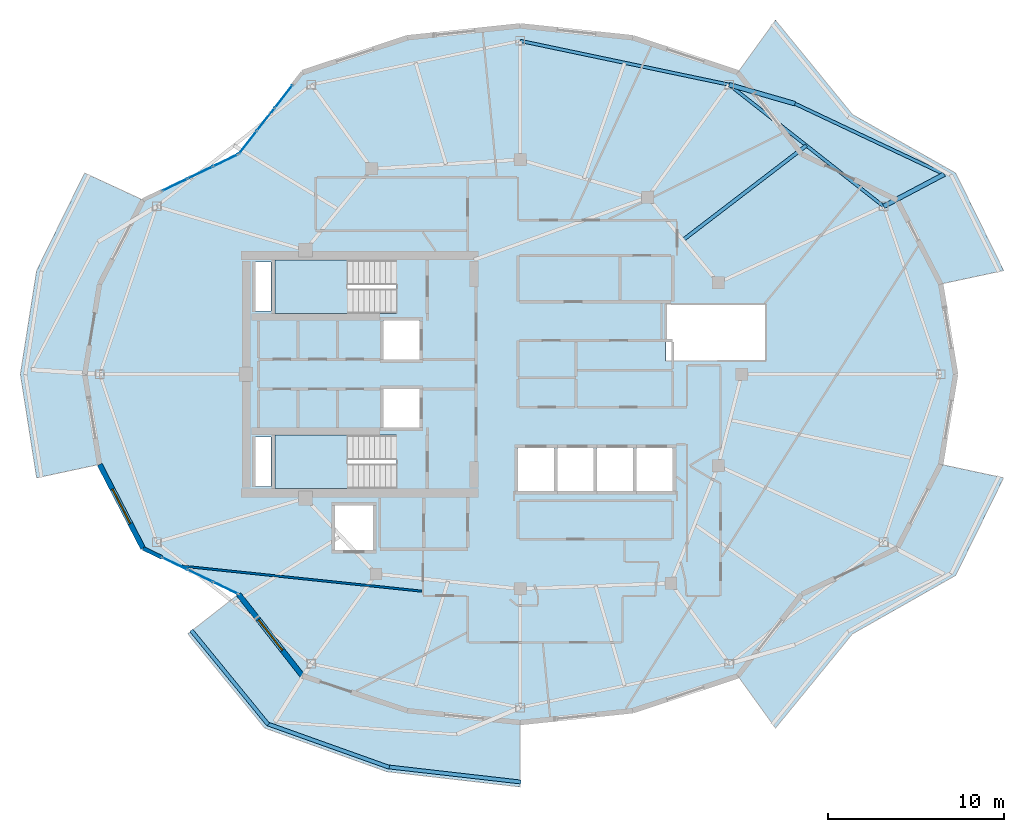
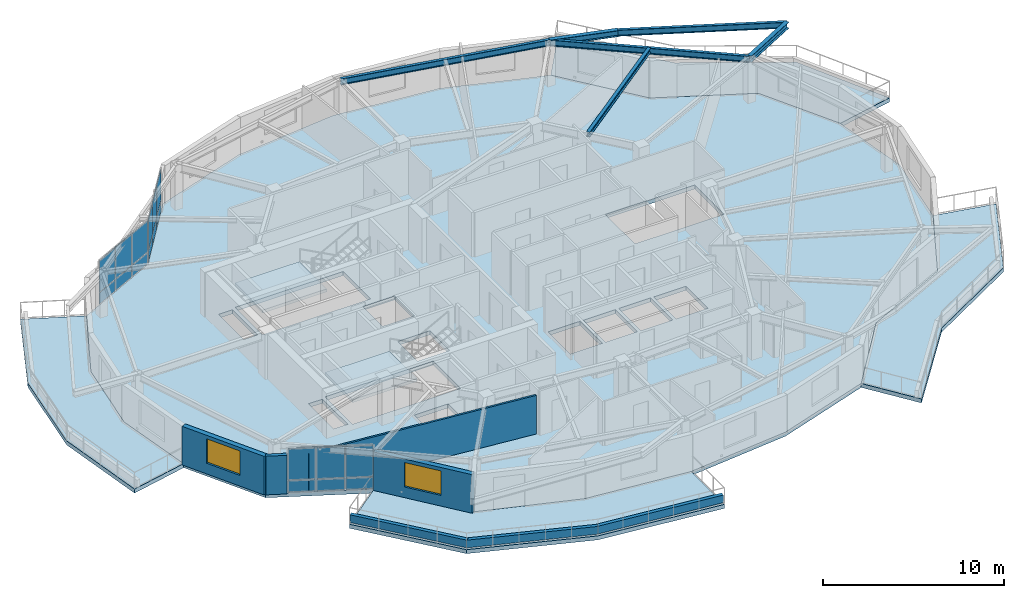
# One storey, part 5 of 14: 21 plates, 7 slabs, 7 walls, 6 beams, 2 windows, 2 openings, 5 elements without a shape of their own.
"""IFC4 building model written with IfcOpenShell, lengths in metres."""

from ifc_helpers import new_model, si_unit, direction, frame, frame_2d, origin, origin_2d, place, context, subcontext, project, spatial, polyline, rectangle, i_section, outline, extrude, material, layer, layer_set, material_profile, profile_set, type_object, element, fill, aggregate, save


model = new_model("IFC4")

# Units and contexts
model_context = context("Model", 3, precision=1e-05, world=origin(), true_north=direction((0.0, 1.0)))
body_context = subcontext(model_context, "Body", "Model", "MODEL_VIEW")
ifc_project = project(units=[si_unit("LENGTHUNIT", "METRE"), si_unit("AREAUNIT", "SQUARE_METRE"), si_unit("VOLUMEUNIT", "CUBIC_METRE"), si_unit("PLANEANGLEUNIT", "RADIAN"), si_unit("MASSUNIT", "GRAM", prefix="KILO")], contexts=[model_context])

# Site, building, storey
site_placement = place(None, origin())
site = spatial("IfcSite", under=ifc_project, at=site_placement, CompositionType="ELEMENT")
building_placement = place(site_placement, origin())
building = spatial("IfcBuilding", under=site, at=building_placement, Name="Kolvaren Gate Tower and Convention Centre", CompositionType="ELEMENT")
storey_placement = place(building_placement, frame((0.0, 0.0, 206.300048828125)))
storey = spatial("IfcBuildingStorey", under=building, at=storey_placement, Name="L54", CompositionType="ELEMENT", Elevation=206.300048828125)

# Beams
ifc_material_1 = material(Name="Structural steel ASTM A992 Grade 345 MPa", Category="steel")
ifc_material_profile_1 = material_profile(ifc_material_1, i_section(OverallWidth=0.260009765625, OverallDepth=0.419921875, WebThickness=0.013427734375, FlangeThickness=0.0224609375, at=origin_2d()), Name="W410X132")
ifc_profile_set_1 = profile_set([ifc_material_profile_1], Name="Structural steel ASTM A992 Grade 345 MPa")
beam_type_1 = type_object("IfcBeamType", Name="STR-BM-W410X132", PredefinedType="BEAM", material=ifc_profile_set_1)
for number, where, z_axis, x_axis, name in (
    (1, (50.787353515625, 36.543701171875, 2.820556640625), (0.88362340532, 0.468198331448, 0.0), (-0.468198331448, 0.88362340532, 0.0), "Tower L55 Planted Balcony Outrigger Cantilever BC-1A"),
    (2, (42.002685546875, 43.4580078125, 2.820556640625), (0.960795374216, -0.277258451421, 0.0), (0.277258451421, 0.960795374216, 0.0), "Tower L55 Planted Balcony Outrigger Cantilever BC-1B"),
):
    element("IfcBeam", number, at=place(storey_placement, frame(where, z_axis=z_axis, x_axis=x_axis)), inside=storey, type_object=beam_type_1, Name=name, PredefinedType="BEAM", context=body_context, shape_type="SweptSolid", body=[
        extrude(i_section(OverallWidth=0.260009765625, OverallDepth=0.419921875, WebThickness=0.013427734375, FlangeThickness=0.0224609375, at=origin_2d()), origin(), (0.0, 0.0, 1.0), 3.89990234375),
    ])
ifc_material_profile_2 = material_profile(ifc_material_1, i_section(OverallWidth=0.205078125, OverallDepth=0.31005859375, WebThickness=0.009521484375, FlangeThickness=0.016357421875, at=origin_2d()), Name="W310X74")
ifc_profile_set_2 = profile_set([ifc_material_profile_2], Name="Structural steel ASTM A992 Grade 345 MPa")
beam_type_2 = type_object("IfcBeamType", Name="STR-JS-W310X74", PredefinedType="JOIST", material=ifc_profile_set_2)
beam_1_placement = place(storey_placement, frame((39.3818359375, 34.627197265625, 2.875), z_axis=(0.793783340844, 0.608200631205, 0.0), x_axis=(-0.608200631205, 0.793783340844, 0.0)))
element("IfcBeam", 3, at=beam_1_placement, inside=storey, type_object=beam_type_2, Name="Tower L54 Secondary Composite Floor Joist J-02.1", PredefinedType="JOIST", context=body_context, shape_type="SweptSolid", body=[
    extrude(i_section(OverallWidth=0.205078125, OverallDepth=0.31005859375, WebThickness=0.009521484375, FlangeThickness=0.016357421875, at=origin_2d()), origin(), (0.0, 0.0, 1.0), 8.835205078125),
])
ifc_material_profile_3 = material_profile(ifc_material_1, i_section(OverallWidth=0.180908203125, OverallDepth=0.4169921875, WebThickness=0.010986328125, FlangeThickness=0.018310546875, at=origin_2d()), Name="W410X85")
ifc_profile_set_3 = profile_set([ifc_material_profile_3], Name="Structural steel ASTM A992 Grade 345 MPa")
beam_type_3 = type_object("IfcBeamType", Name="STR-SP-W410X85", PredefinedType="SPANDREL", material=ifc_profile_set_3)
beam_2_placement = place(storey_placement, frame((50.787353515625, 36.543701171875, 2.821533203125), z_axis=(-0.78579365551, 0.618488747643, 0.0), x_axis=(-0.618488747643, -0.78579365551, 0.0)))
element("IfcBeam", 4, at=beam_2_placement, inside=storey, type_object=beam_type_3, Name="Tower L54 Perimeter Spandrel Beam SP-02", PredefinedType="SPANDREL", context=body_context, shape_type="SweptSolid", body=[
    extrude(i_section(OverallWidth=0.180908203125, OverallDepth=0.4169921875, WebThickness=0.010986328125, FlangeThickness=0.018310546875, at=origin_2d()), origin(), (0.0, 0.0, 1.0), 11.179443359375),
])
beam_3_placement = place(storey_placement, frame((42.002685546875, 43.4580078125, 2.821533203125), z_axis=(-0.978692765917, 0.205330148645, 0.0), x_axis=(-0.205330148645, -0.978692765917, 0.0)))
element("IfcBeam", 5, at=beam_3_placement, inside=storey, type_object=beam_type_3, Name="Tower L54 Perimeter Spandrel Beam SP-03", PredefinedType="SPANDREL", context=body_context, shape_type="SweptSolid", body=[
    extrude(i_section(OverallWidth=0.180908203125, OverallDepth=0.4169921875, WebThickness=0.010986328125, FlangeThickness=0.018310546875, at=origin_2d()), origin(), (0.0, 0.0, 1.0), 12.13623046875),
])
beam_4_placement = place(storey_placement, frame((54.2333984375, 38.36962890625, 2.822021484375), z_axis=(-0.90421096583, 0.427086091173, 0.0), x_axis=(-0.427086091173, -0.90421096583, 0.0)))
element("IfcBeam", 6, at=beam_4_placement, inside=storey, type_object=beam_type_3, Name="Tower L55 Planted Balcony Header Tie Beam BT-1", PredefinedType="SPANDREL", context=body_context, shape_type="SweptSolid", body=[
    extrude(i_section(OverallWidth=0.180908203125, OverallDepth=0.4169921875, WebThickness=0.010986328125, FlangeThickness=0.018310546875, at=origin_2d()), origin(), (0.0, 0.0, 1.0), 9.38232421875),
])

# Plates
ifc_material_2 = material(Name="Perforated Anodized Bronze Aluminium Sheet 6 mm", Category="aluminium")
ifc_layer_1 = layer(ifc_material_2, 0.011962890625)
ifc_layer_set_1 = layer_set([ifc_layer_1], Name="Perforated Anodized Bronze Aluminium Sheet 6 mm")
plate_type_1 = type_object("IfcPlateType", Name="ARCH-PL-SCREEN-PERF", PredefinedType="SHEET", material=ifc_layer_set_1)
for number, where, z_axis, x_axis, name in (
    (7, (15.93359375, 41.827392578125, 2.18994140625), (0.0, 0.0, 1.0), (0.616434119112, 0.787406487651, 0.0), "Tower L54 Perforated Bronze Solar Screen SS-08"),
    (8, (11.404296875, 38.20361328125, 2.18994140625), (0.0, 0.0, 1.0), (0.90135914581, 0.433072384555, 0.0), "Tower L54 Perforated Bronze Solar Screen SS-09"),
    (9, (11.404296875, 15.79638671875, 2.18994140625), (0.0, 0.0, 1.0), (0.90135914581, -0.433072384555, 0.0), "Tower L54 Perforated Bronze Solar Screen SS-14"),
):
    element("IfcPlate", number, at=place(storey_placement, frame(where, z_axis=z_axis, x_axis=x_axis)), inside=storey, type_object=plate_type_1, Name=name, PredefinedType="SHEET", context=body_context, shape_type="SweptSolid", body=[
        extrude(rectangle(XDim=2.60009765625, YDim=0.011962890625, at=origin_2d()), origin(), (0.0, 0.0, 1.0), 0.840087890625),
    ])

# Curtain wall, plates
ifc_material_3 = material(Name="Anodized Architectural Aluminium Alloy 6063-T6", Category="aluminium")
ifc_layer_2 = layer(ifc_material_3, 0.159912109375)
ifc_layer_set_2 = layer_set([ifc_layer_2], Name="Anodized Architectural Aluminium Alloy 6063-T6")
curtain_wall_type = type_object("IfcCurtainWallType", Name="CW-RES-UNIT", PredefinedType="NOTDEFINED", material=ifc_layer_set_2)
curtain_wall_1_placement = place(storey_placement, origin())
curtain_wall_1 = element("IfcCurtainWall", 10, at=curtain_wall_1_placement, inside=storey, type_object=curtain_wall_type, Name="Tower L54 Unitised Curtain Wall CW-RES-UNIT Bay 08", PredefinedType="NOTDEFINED")
ifc_material_4 = material(Name="Low-E Triple Insulated Glazing Unit 44 mm", Category="glass")
ifc_layer_3 = layer(ifc_material_4, 0.0439453125)
ifc_layer_set_3 = layer_set([ifc_layer_3], Name="Low-E Triple Insulated Glazing Unit 44 mm")
plate_type_2 = type_object("IfcPlateType", Name="CW-PL-IGU-44", PredefinedType="CURTAIN_PANEL", material=ifc_layer_set_3)
plate_1_placement = place(storey_placement, frame((14.64306640625, 40.178466796875, 0.88232421875), z_axis=(0.0, 0.0, 1.0), x_axis=(0.616429718179, 0.787409932974, 0.0)))
plate_1 = element("IfcPlate", 11, at=plate_1_placement, type_object=plate_type_2, Name="CW-04 panel 1.2", PredefinedType="CURTAIN_PANEL", context=body_context, shape_type="SweptSolid", body=[
    extrude(rectangle(XDim=1.57470703125, YDim=0.0439453125, at=origin_2d()), origin(), (0.0, 0.0, 1.0), 2.08251953125),
])
plate_2_placement = place(storey_placement, frame((15.663818359375, 41.482421875, 0.88232421875), z_axis=(0.0, 0.0, 1.0), x_axis=(0.616429718179, 0.787409932974, 0.0)))
plate_2 = element("IfcPlate", 12, at=plate_2_placement, type_object=plate_type_2, Name="CW-04 panel 2.2", PredefinedType="CURTAIN_PANEL", context=body_context, shape_type="SweptSolid", body=[
    extrude(rectangle(XDim=1.607421875, YDim=0.0439453125, at=origin_2d()), origin(), (0.0, 0.0, 1.0), 2.08251953125),
])
plate_3_placement = place(storey_placement, frame((16.6845703125, 42.78662109375, 0.88232421875), z_axis=(0.0, 0.0, 1.0), x_axis=(0.616429718179, 0.787409932974, 0.0)))
plate_3 = element("IfcPlate", 13, at=plate_3_placement, type_object=plate_type_2, Name="CW-04 panel 3.2", PredefinedType="CURTAIN_PANEL", context=body_context, shape_type="SweptSolid", body=[
    extrude(rectangle(XDim=1.57470703125, YDim=0.0439453125, at=origin_2d()), origin(), (0.0, 0.0, 1.0), 2.08251953125),
])

curtain_wall_2_placement = place(storey_placement, origin())
curtain_wall_2 = element("IfcCurtainWall", 14, at=curtain_wall_2_placement, inside=storey, type_object=curtain_wall_type, Name="Tower L54 Unitised Curtain Wall CW-RES-UNIT Bay 09", PredefinedType="NOTDEFINED")
plate_4_placement = place(storey_placement, frame((10.4970703125, 37.767822265625, 0.88232421875), z_axis=(0.0, 0.0, 1.0), x_axis=(0.901362416644, 0.433065576861, 0.0)))
plate_4 = element("IfcPlate", 15, at=plate_4_placement, type_object=plate_type_2, Name="CW-04 panel 1.2", PredefinedType="CURTAIN_PANEL", context=body_context, shape_type="SweptSolid", body=[
    extrude(rectangle(XDim=1.515625, YDim=0.0439453125, at=origin_2d()), origin(), (0.0, 0.0, 1.0), 2.08251953125),
])
plate_5_placement = place(storey_placement, frame((11.9365234375, 38.45947265625, 0.88232421875), z_axis=(0.0, 0.0, 1.0), x_axis=(0.901362416644, 0.433065576861, 0.0)))
plate_5 = element("IfcPlate", 16, at=plate_5_placement, type_object=plate_type_2, Name="CW-04 panel 2.2", PredefinedType="CURTAIN_PANEL", context=body_context, shape_type="SweptSolid", body=[
    extrude(rectangle(XDim=1.548095703125, YDim=0.0439453125, at=origin_2d()), origin(), (0.0, 0.0, 1.0), 2.08251953125),
])
plate_6_placement = place(storey_placement, frame((13.375732421875, 39.15087890625, 0.88232421875), z_axis=(0.0, 0.0, 1.0), x_axis=(0.901362416644, 0.433065576861, 0.0)))
plate_6 = element("IfcPlate", 17, at=plate_6_placement, type_object=plate_type_2, Name="CW-04 panel 3.2", PredefinedType="CURTAIN_PANEL", context=body_context, shape_type="SweptSolid", body=[
    extrude(rectangle(XDim=1.515625, YDim=0.0439453125, at=origin_2d()), origin(), (0.0, 0.0, 1.0), 2.08251953125),
])

curtain_wall_3_placement = place(storey_placement, origin())
curtain_wall_3 = element("IfcCurtainWall", 18, at=curtain_wall_3_placement, inside=storey, type_object=curtain_wall_type, Name="Tower L54 Unitised Curtain Wall CW-RES-UNIT Bay 14", PredefinedType="NOTDEFINED")
plate_7_placement = place(storey_placement, frame((10.4970703125, 16.232177734375, 0.88232421875), z_axis=(0.0, 0.0, 1.0), x_axis=(0.901362416644, -0.433065576861, 0.0)))
plate_7 = element("IfcPlate", 19, at=plate_7_placement, type_object=plate_type_2, Name="CW-04 panel 1.2", PredefinedType="CURTAIN_PANEL", context=body_context, shape_type="SweptSolid", body=[
    extrude(rectangle(XDim=1.515625, YDim=0.0439453125, at=origin_2d()), origin(), (0.0, 0.0, 1.0), 2.08251953125),
])
plate_8_placement = place(storey_placement, frame((11.9365234375, 15.54052734375, 0.88232421875), z_axis=(0.0, 0.0, 1.0), x_axis=(0.901362416644, -0.433065576861, 0.0)))
plate_8 = element("IfcPlate", 20, at=plate_8_placement, type_object=plate_type_2, Name="CW-04 panel 2.2", PredefinedType="CURTAIN_PANEL", context=body_context, shape_type="SweptSolid", body=[
    extrude(rectangle(XDim=1.548095703125, YDim=0.0439453125, at=origin_2d()), origin(), (0.0, 0.0, 1.0), 2.08251953125),
])
plate_9_placement = place(storey_placement, frame((13.375732421875, 14.84912109375, 0.88232421875), z_axis=(0.0, 0.0, 1.0), x_axis=(0.901362416644, -0.433065576861, 0.0)))
plate_9 = element("IfcPlate", 21, at=plate_9_placement, type_object=plate_type_2, Name="CW-04 panel 3.2", PredefinedType="CURTAIN_PANEL", context=body_context, shape_type="SweptSolid", body=[
    extrude(rectangle(XDim=1.515625, YDim=0.0439453125, at=origin_2d()), origin(), (0.0, 0.0, 1.0), 2.08251953125),
])

# Plate
ifc_material_5 = material(Name="Solar-Control Laminated Curtain Glazing 36 mm", Category="glass")
ifc_layer_4 = layer(ifc_material_5, 0.035888671875)
ifc_layer_set_4 = layer_set([ifc_layer_4], Name="Solar-Control Laminated Curtain Glazing 36 mm")
plate_type_3 = type_object("IfcPlateType", Name="CW-PL-SPAN-36", PredefinedType="CURTAIN_PANEL", material=ifc_layer_set_4)
plate_10_placement = place(storey_placement, frame((14.64306640625, 40.178466796875, 0.06494140625), z_axis=(0.0, 0.0, 1.0), x_axis=(0.616429718179, 0.787409932974, 0.0)))
plate_10 = element("IfcPlate", 22, at=plate_10_placement, type_object=plate_type_3, Name="CW-04 panel 1.1", PredefinedType="CURTAIN_PANEL", context=body_context, shape_type="SweptSolid", body=[
    extrude(rectangle(XDim=1.57470703125, YDim=0.035888671875, at=origin_2d()), origin(), (0.0, 0.0, 1.0), 0.75244140625),
])

plate_11_placement = place(storey_placement, frame((15.663818359375, 41.482421875, 0.06494140625), z_axis=(0.0, 0.0, 1.0), x_axis=(0.616429718179, 0.787409932974, 0.0)))
plate_11 = element("IfcPlate", 23, at=plate_11_placement, type_object=plate_type_3, Name="CW-04 panel 2.1", PredefinedType="CURTAIN_PANEL", context=body_context, shape_type="SweptSolid", body=[
    extrude(rectangle(XDim=1.607421875, YDim=0.035888671875, at=origin_2d()), origin(), (0.0, 0.0, 1.0), 0.75244140625),
])

plate_12_placement = place(storey_placement, frame((16.6845703125, 42.78662109375, 0.06494140625), z_axis=(0.0, 0.0, 1.0), x_axis=(0.616429718179, 0.787409932974, 0.0)))
plate_12 = element("IfcPlate", 24, at=plate_12_placement, type_object=plate_type_3, Name="CW-04 panel 3.1", PredefinedType="CURTAIN_PANEL", context=body_context, shape_type="SweptSolid", body=[
    extrude(rectangle(XDim=1.57470703125, YDim=0.035888671875, at=origin_2d()), origin(), (0.0, 0.0, 1.0), 0.75244140625),
])

aggregate(curtain_wall_1, [plate_10, plate_1, plate_11, plate_2, plate_12, plate_3])

plate_13_placement = place(storey_placement, frame((10.4970703125, 37.767822265625, 0.06494140625), z_axis=(0.0, 0.0, 1.0), x_axis=(0.901362416644, 0.433065576861, 0.0)))
plate_13 = element("IfcPlate", 25, at=plate_13_placement, type_object=plate_type_3, Name="CW-04 panel 1.1", PredefinedType="CURTAIN_PANEL", context=body_context, shape_type="SweptSolid", body=[
    extrude(rectangle(XDim=1.515625, YDim=0.035888671875, at=origin_2d()), origin(), (0.0, 0.0, 1.0), 0.75244140625),
])

plate_14_placement = place(storey_placement, frame((11.9365234375, 38.45947265625, 0.06494140625), z_axis=(0.0, 0.0, 1.0), x_axis=(0.901362416644, 0.433065576861, 0.0)))
plate_14 = element("IfcPlate", 26, at=plate_14_placement, type_object=plate_type_3, Name="CW-04 panel 2.1", PredefinedType="CURTAIN_PANEL", context=body_context, shape_type="SweptSolid", body=[
    extrude(rectangle(XDim=1.548095703125, YDim=0.035888671875, at=origin_2d()), origin(), (0.0, 0.0, 1.0), 0.75244140625),
])

plate_15_placement = place(storey_placement, frame((13.375732421875, 39.15087890625, 0.06494140625), z_axis=(0.0, 0.0, 1.0), x_axis=(0.901362416644, 0.433065576861, 0.0)))
plate_15 = element("IfcPlate", 27, at=plate_15_placement, type_object=plate_type_3, Name="CW-04 panel 3.1", PredefinedType="CURTAIN_PANEL", context=body_context, shape_type="SweptSolid", body=[
    extrude(rectangle(XDim=1.515625, YDim=0.035888671875, at=origin_2d()), origin(), (0.0, 0.0, 1.0), 0.75244140625),
])

aggregate(curtain_wall_2, [plate_13, plate_4, plate_14, plate_5, plate_15, plate_6])

plate_16_placement = place(storey_placement, frame((10.4970703125, 16.232177734375, 0.06494140625), z_axis=(0.0, 0.0, 1.0), x_axis=(0.901362416644, -0.433065576861, 0.0)))
plate_16 = element("IfcPlate", 28, at=plate_16_placement, type_object=plate_type_3, Name="CW-04 panel 1.1", PredefinedType="CURTAIN_PANEL", context=body_context, shape_type="SweptSolid", body=[
    extrude(rectangle(XDim=1.515625, YDim=0.035888671875, at=origin_2d()), origin(), (0.0, 0.0, 1.0), 0.75244140625),
])

plate_17_placement = place(storey_placement, frame((11.9365234375, 15.54052734375, 0.06494140625), z_axis=(0.0, 0.0, 1.0), x_axis=(0.901362416644, -0.433065576861, 0.0)))
plate_17 = element("IfcPlate", 29, at=plate_17_placement, type_object=plate_type_3, Name="CW-04 panel 2.1", PredefinedType="CURTAIN_PANEL", context=body_context, shape_type="SweptSolid", body=[
    extrude(rectangle(XDim=1.548095703125, YDim=0.035888671875, at=origin_2d()), origin(), (0.0, 0.0, 1.0), 0.75244140625),
])

plate_18_placement = place(storey_placement, frame((13.375732421875, 14.84912109375, 0.06494140625), z_axis=(0.0, 0.0, 1.0), x_axis=(0.901362416644, -0.433065576861, 0.0)))
plate_18 = element("IfcPlate", 30, at=plate_18_placement, type_object=plate_type_3, Name="CW-04 panel 3.1", PredefinedType="CURTAIN_PANEL", context=body_context, shape_type="SweptSolid", body=[
    extrude(rectangle(XDim=1.515625, YDim=0.035888671875, at=origin_2d()), origin(), (0.0, 0.0, 1.0), 0.75244140625),
])

aggregate(curtain_wall_3, [plate_16, plate_7, plate_17, plate_8, plate_18, plate_9])

# Slabs
ifc_material_6 = material(Name="Concrete C50/60", Category="concrete")
ifc_layer_5 = layer(ifc_material_6, 0.27001953125)
ifc_layer_set_5 = layer_set([ifc_layer_5], Name="Concrete C50/60")
slab_type_1 = type_object("IfcSlabType", Name="STR-SL-BALC-270", PredefinedType="FLOOR", material=ifc_layer_set_5)
slab_1_placement = place(storey_placement, frame((0.0, 0.0, -0.27001953125)))
element("IfcSlab", 31, at=slab_1_placement, inside=storey, type_object=slab_type_1, Name="Tower L54 Planted Balcony Terrace Slab 1 (East)", PredefinedType="FLOOR", context=body_context, shape_type="SweptSolid", body=[
    extrude(outline(polyline([(54.03173828125, 32.12451171875), (51.55908203125, 36.89990234375), (46.132568359375, 39.50732421875), (42.5, 44.147216796875), (44.641845703125, 47.114990234375), (49.0166015625, 41.7607421875), (54.8818359375, 38.434814453125), (57.6103515625, 32.8916015625), (54.03173828125, 32.12451171875)])), origin(), (0.0, 0.0, 1.0), 0.27001953125),
])
slab_2_placement = place(storey_placement, frame((0.0, 0.0, -0.27001953125)))
element("IfcSlab", 32, at=slab_2_placement, inside=storey, type_object=slab_type_1, Name="Tower L54 Planted Balcony Terrace Slab 2 (West)", PredefinedType="FLOOR", context=body_context, shape_type="SweptSolid", body=[
    extrude(outline(polyline([(8.69091796875, 36.89990234375), (6.21826171875, 32.12451171875), (5.375, 27.0), (6.21826171875, 21.87548828125), (2.6396484375, 21.1083984375), (1.715087890625, 27.0), (2.6396484375, 32.8916015625), (5.3681640625, 38.434814453125), (8.69091796875, 36.89990234375)])), origin(), (0.0, 0.0, 1.0), 0.27001953125),
])
slab_3_placement = place(storey_placement, frame((0.0, 0.0, -0.27001953125)))
element("IfcSlab", 33, at=slab_3_placement, inside=storey, type_object=slab_type_1, Name="Tower L54 Planted Balcony Terrace Slab 3 (South)", PredefinedType="FLOOR", context=body_context, shape_type="SweptSolid", body=[
    extrude(outline(polyline([(14.117431640625, 14.49267578125), (17.75, 9.852783203125), (23.71923828125, 7.874755859375), (30.125, 7.199951171875), (30.125, 3.5400390625), (22.556884765625, 4.404296875), (15.608154296875, 6.885009765625), (11.2333984375, 12.2392578125), (14.117431640625, 14.49267578125)])), origin(), (0.0, 0.0, 1.0), 0.27001953125),
])
slab_4_placement = place(storey_placement, frame((0.0, 0.0, -0.27001953125)))
element("IfcSlab", 34, at=slab_4_placement, inside=storey, type_object=slab_type_1, Name="Tower L54 Planted Balcony Terrace Slab 4 (East)", PredefinedType="FLOOR", context=body_context, shape_type="SweptSolid", body=[
    extrude(outline(polyline([(42.5, 9.852783203125), (46.132568359375, 14.49267578125), (51.55908203125, 17.10009765625), (54.03173828125, 21.87548828125), (57.6103515625, 21.1083984375), (54.8818359375, 15.565185546875), (49.0166015625, 12.2392578125), (44.641845703125, 6.885009765625), (42.5, 9.852783203125)])), origin(), (0.0, 0.0, 1.0), 0.27001953125),
])
ifc_material_7 = material(Name="Concrete C40/50", Category="concrete")
ifc_layer_6 = layer(ifc_material_7, 0.27001953125)
ifc_layer_set_6 = layer_set([ifc_layer_6], Name="Concrete C40/50")
slab_type_2 = type_object("IfcSlabType", Name="STR-SL-FLR-270", PredefinedType="FLOOR", material=ifc_layer_set_6)
slab_5_placement = place(storey_placement, frame((0.0, 0.0, -0.27001953125)))
element("IfcSlab", 35, at=slab_5_placement, inside=storey, type_object=slab_type_2, Name="Tower L54 Structural Floor Slab", PredefinedType="FLOOR", context=body_context, shape_type="SweptSolid", body=[
    extrude(outline(polyline([(54.875, 27.0), (54.03173828125, 32.12451171875), (51.55908203125, 36.89990234375), (46.132568359375, 39.50732421875), (42.5, 44.147216796875), (36.53076171875, 46.125244140625), (30.125, 46.800048828125), (23.71923828125, 46.125244140625), (17.75, 44.147216796875), (14.117431640625, 39.50732421875), (8.69091796875, 36.89990234375), (6.21826171875, 32.12451171875), (5.375, 27.0), (6.21826171875, 21.87548828125), (8.69091796875, 17.10009765625), (14.117431640625, 14.49267578125), (17.75, 9.852783203125), (23.71923828125, 7.874755859375), (30.125, 7.199951171875), (36.53076171875, 7.874755859375), (42.5, 9.852783203125), (46.132568359375, 14.49267578125), (51.55908203125, 17.10009765625), (54.03173828125, 21.87548828125), (54.875, 27.0)]), holes=[polyline([(38.39990234375, 27.75), (38.39990234375, 31.0), (44.10009765625, 31.0), (44.10009765625, 27.75), (38.39990234375, 27.75)]), polyline([(38.800048828125, 20.35009765625), (36.75, 20.35009765625), (36.75, 22.800048828125), (38.800048828125, 22.800048828125), (38.800048828125, 20.35009765625)]), polyline([(34.5, 20.35009765625), (34.5, 22.800048828125), (36.550048828125, 22.800048828125), (36.550048828125, 20.35009765625), (34.5, 20.35009765625)]), polyline([(32.25, 20.35009765625), (32.25, 22.800048828125), (34.300048828125, 22.800048828125), (34.300048828125, 20.35009765625), (32.25, 20.35009765625)]), polyline([(32.050048828125, 20.35009765625), (30.0, 20.35009765625), (30.0, 22.800048828125), (32.050048828125, 22.800048828125), (32.050048828125, 20.35009765625)]), polyline([(22.35009765625, 23.9599609375), (22.35009765625, 26.159912109375), (24.39990234375, 26.159912109375), (24.39990234375, 23.9599609375), (22.35009765625, 23.9599609375)]), polyline([(24.39990234375, 27.840087890625), (22.35009765625, 27.840087890625), (22.35009765625, 30.0400390625), (24.39990234375, 30.0400390625), (24.39990234375, 27.840087890625)]), polyline([(23.10009765625, 23.5400390625), (23.10009765625, 20.5), (16.199951171875, 20.5), (16.199951171875, 23.5400390625), (23.10009765625, 23.5400390625)]), polyline([(23.10009765625, 33.5), (23.10009765625, 30.4599609375), (16.199951171875, 30.4599609375), (16.199951171875, 33.5), (23.10009765625, 33.5)]), polyline([(21.75, 17.0), (19.60009765625, 17.0), (19.60009765625, 19.550048828125), (21.75, 19.550048828125), (21.75, 17.0)]), polyline([(15.080078125, 20.6298828125), (15.080078125, 23.419921875), (15.969970703125, 23.419921875), (15.969970703125, 20.6298828125), (15.080078125, 20.6298828125)]), polyline([(15.080078125, 30.580078125), (15.080078125, 33.3701171875), (15.969970703125, 33.3701171875), (15.969970703125, 30.580078125), (15.080078125, 30.580078125)])]), origin(), (0.0, 0.0, 1.0), 0.27001953125),
])

# Stair, slab
stair_type = type_object("IfcStairType", Name="STR-STAIR-CORE", PredefinedType="HALF_TURN_STAIR", material=ifc_material_6)
stair_1_placement = place(storey_placement, origin())
stair_1 = element("IfcStair", 36, at=stair_1_placement, inside=storey, type_object=stair_type, Name="L54 Tower North Exit Stair ST-T1", PredefinedType="HALF_TURN_STAIR")
ifc_layer_7 = layer(ifc_material_6, 0.199951171875)
ifc_layer_set_7 = layer_set([ifc_layer_7], Name="Concrete C50/60")
slab_type_3 = type_object("IfcSlabType", Name="STR-SL-LAND-200", PredefinedType="LANDING", material=ifc_layer_set_7)
slab_6_placement = place(storey_placement, frame((0.0, 0.0, 1.449951171875)))
slab_6 = element("IfcSlab", 37, at=slab_6_placement, type_object=slab_type_3, Name="ST-T1 landing 1", PredefinedType="LANDING", context=body_context, shape_type="SweptSolid", body=[
    extrude(outline(polyline([(20.31005859375, 33.5), (16.199951171875, 33.5), (16.199951171875, 30.4599609375), (20.31005859375, 30.4599609375), (20.31005859375, 33.5)])), origin(), (0.0, 0.0, 1.0), 0.199951171875),
])
aggregate(stair_1, [slab_6])

stair_2_placement = place(storey_placement, origin())
stair_2 = element("IfcStair", 38, at=stair_2_placement, inside=storey, type_object=stair_type, Name="L54 Tower South Exit Stair ST-T2", PredefinedType="HALF_TURN_STAIR")
slab_7_placement = place(storey_placement, frame((0.0, 0.0, 1.449951171875)))
slab_7 = element("IfcSlab", 39, at=slab_7_placement, type_object=slab_type_3, Name="ST-T2 landing 1", PredefinedType="LANDING", context=body_context, shape_type="SweptSolid", body=[
    extrude(outline(polyline([(20.31005859375, 23.5400390625), (16.199951171875, 23.5400390625), (16.199951171875, 20.5), (20.31005859375, 20.5), (20.31005859375, 23.5400390625)])), origin(), (0.0, 0.0, 1.0), 0.199951171875),
])
aggregate(stair_2, [slab_7])

# Walls
ifc_material_8 = material(Name="Fire-Rated Acoustic Gypsum Stud Partition", Category="gypsum")
ifc_layer_8 = layer(ifc_material_8, 0.1201171875)
ifc_layer_set_8 = layer_set([ifc_layer_8], Name="Fire-Rated Acoustic Gypsum Stud Partition")
wall_type_1 = type_object("IfcWallType", Name="ARCH-WL-PART-120", PredefinedType="PARTITIONING", material=ifc_layer_set_8)
wall_1_placement = place(storey_placement, frame((10.818115234375, 16.103515625, 0.0), z_axis=(0.0, 0.0, 1.0), x_axis=(0.994552287984, -0.104238891333, 0.0)))
element("IfcWall", 40, at=wall_1_placement, inside=storey, type_object=wall_type_1, Name="Interior Partition WL-L54-INT-068", PredefinedType="PARTITIONING", context=body_context, shape_type="SweptSolid", body=[
    extrude(rectangle(XDim=13.795166015625, YDim=0.1201171875, at=frame_2d((6.8974609375, 0.0))), origin(), (0.0, 0.0, 1.0), 2.60498046875),
])
ifc_material_9 = material(Name="Bogota Sabana Bush-Hammered Sandstone Cladding", Category="masonry")
ifc_layer_9 = layer(ifc_material_9, 0.219970703125)
ifc_layer_set_9 = layer_set([ifc_layer_9], Name="Bogota Sabana Bush-Hammered Sandstone Cladding")
wall_type_2 = type_object("IfcWallType", Name="ARCH-WL-PIER-220", PredefinedType="SOLIDWALL", material=ifc_layer_set_9)
wall_2_placement = place(storey_placement, frame((8.69091796875, 17.10009765625, 0.0), z_axis=(0.0, 0.0, 1.0), x_axis=(0.901264843027, -0.433268603437, 0.0)))
element("IfcWall", 41, at=wall_2_placement, inside=storey, type_object=wall_type_2, Name="Tower L54 Unitised Curtain Wall CW-RES-UNIT Bay 14 Left Column Pier Wrap", PredefinedType="SOLIDWALL", context=body_context, shape_type="SweptSolid", body=[
    extrude(rectangle(XDim=1.18115234375, YDim=0.219970703125, at=frame_2d((0.590576171875, 0.0))), origin(), (0.0, 0.0, 1.0), 2.60498046875),
])
ifc_material_10 = material(Name="Piedmont Cream Honed Limestone Cladding", Category="masonry")
ifc_layer_10 = layer(ifc_material_10, 0.219970703125)
ifc_layer_set_10 = layer_set([ifc_layer_10], Name="Piedmont Cream Honed Limestone Cladding")
wall_type_3 = type_object("IfcWallType", Name="ARCH-WL-PLANTER-220", PredefinedType="PARAPET", material=ifc_layer_set_10)
wall_3_placement = place(storey_placement, frame((11.42724609375, 12.44140625, 0.0), z_axis=(0.0, 0.0, 1.0), x_axis=(0.632697312147, -0.774399193699, 0.0)))
element("IfcWall", 42, at=wall_3_placement, inside=storey, type_object=wall_type_3, Name="Vertical-Forest Balcony Stone Planter Kerb PK-L54-3.1", PredefinedType="PARAPET", context=body_context, shape_type="SweptSolid", body=[
    extrude(rectangle(XDim=6.9140625, YDim=0.219970703125, at=frame_2d((3.45703125, 0.0))), origin(), (0.0, 0.0, 1.0), 0.52001953125),
])
wall_4_placement = place(storey_placement, frame((15.73681640625, 7.133544921875, 0.0), z_axis=(0.0, 0.0, 1.0), x_axis=(0.941780086523, -0.336229488042, 0.0)))
element("IfcWall", 43, at=wall_4_placement, inside=storey, type_object=wall_type_3, Name="Vertical-Forest Balcony Stone Planter Kerb PK-L54-3.2", PredefinedType="PARAPET", context=body_context, shape_type="SweptSolid", body=[
    extrude(rectangle(XDim=7.3779296875, YDim=0.219970703125, at=frame_2d((3.68896484375, 0.0))), origin(), (0.0, 0.0, 1.0), 0.52001953125),
])
wall_5_placement = place(storey_placement, frame((22.602294921875, 4.680419921875, 0.0), z_axis=(0.0, 0.0, 1.0), x_axis=(0.993546198781, -0.113428175021, 0.0)))
element("IfcWall", 44, at=wall_5_placement, inside=storey, type_object=wall_type_3, Name="Vertical-Forest Balcony Stone Planter Kerb PK-L54-3.3", PredefinedType="PARAPET", context=body_context, shape_type="SweptSolid", body=[
    extrude(rectangle(XDim=7.6171875, YDim=0.219970703125, at=frame_2d((3.80859375, 0.0))), origin(), (0.0, 0.0, 1.0), 0.52001953125),
])

# Wall, opening, window
ifc_layer_11 = layer(ifc_material_10, 0.300048828125)
ifc_layer_set_11 = layer_set([ifc_layer_11], Name="Piedmont Cream Honed Limestone Cladding")
wall_type_4 = type_object("IfcWallType", Name="ARCH-WL-STONE-300", PredefinedType="SOLIDWALL", material=ifc_layer_set_11)
wall_6_placement = place(storey_placement, frame((6.21826171875, 21.87548828125, 0.0), z_axis=(0.0, 0.0, 1.0), x_axis=(0.459808219482, -0.888018243786, 0.0)))
wall_6 = element("IfcWall", 45, at=wall_6_placement, inside=storey, type_object=wall_type_4, Name="Tower L54 Honed Stone Spandrel Wall EW-13", PredefinedType="SOLIDWALL", context=body_context, shape_type="SweptSolid", body=[
    extrude(rectangle(XDim=5.377685546875, YDim=0.300048828125, at=frame_2d((2.68896484375, 0.0))), origin(), (0.0, 0.0, 1.0), 2.60498046875),
])
opening_1_placement = place(wall_6_placement, frame((1.589111328125, 0.0, 0.719970703125)))
opening_1 = element("IfcOpeningElement", 46, at=opening_1_placement, cuts=wall_6, Name="Opening W-03", PredefinedType="OPENING", context=body_context, shape_type="SweptSolid", body=[
    extrude(rectangle(XDim=2.199951171875, YDim=1.64990234375, at=frame_2d((1.10009765625, 0.824951171875))), frame((0.0, 0.159912109375, 0.0), z_axis=(0.0, -1.0, 0.0), x_axis=(1.0, 0.0, 0.0)), (0.0, 0.0, 1.0), 0.320068359375),
])
window_type = type_object("IfcWindowType", Name="ARCH-WN-RES-2200", PartitioningType="SINGLE_PANEL", PredefinedType="WINDOW", material=ifc_material_4)
window_1_placement = place(opening_1_placement, origin())
window_1 = element("IfcWindow", 47, at=window_1_placement, inside=storey, type_object=window_type, Name="Tower L54 Punched Stone Facade Window W-13", OverallHeight=1.64990234375, OverallWidth=2.199951171875, PartitioningType="SINGLE_PANEL", PredefinedType="WINDOW", context=body_context, shape_type="SweptSolid", body=[
    extrude(rectangle(XDim=2.199951171875, YDim=1.64990234375, at=frame_2d((1.10009765625, 0.824951171875))), frame((0.0, 0.030029296875, 0.0), z_axis=(0.0, -1.0, 0.0), x_axis=(1.0, 0.0, 0.0)), (0.0, 0.0, 1.0), 0.06005859375),
])
fill(opening_1, window_1)

wall_7_placement = place(storey_placement, frame((14.117431640625, 14.49267578125, 0.0), z_axis=(0.0, 0.0, 1.0), x_axis=(0.616450126935, -0.787393955401, 0.0)))
wall_7 = element("IfcWall", 48, at=wall_7_placement, inside=storey, type_object=wall_type_4, Name="Tower L54 Honed Stone Spandrel Wall EW-15", PredefinedType="SOLIDWALL", context=body_context, shape_type="SweptSolid", body=[
    extrude(rectangle(XDim=5.892822265625, YDim=0.300048828125, at=frame_2d((2.9462890625, 0.0))), origin(), (0.0, 0.0, 1.0), 2.60498046875),
])
opening_2_placement = place(wall_7_placement, frame((1.845947265625, 0.0, 0.719970703125)))
opening_2 = element("IfcOpeningElement", 49, at=opening_2_placement, cuts=wall_7, Name="Opening W-03", PredefinedType="OPENING", context=body_context, shape_type="SweptSolid", body=[
    extrude(rectangle(XDim=2.199951171875, YDim=1.64990234375, at=frame_2d((1.10009765625, 0.824951171875))), frame((0.0, 0.159912109375, 0.0), z_axis=(0.0, -1.0, 0.0), x_axis=(1.0, 0.0, 0.0)), (0.0, 0.0, 1.0), 0.320068359375),
])
window_2_placement = place(opening_2_placement, origin())
window_2 = element("IfcWindow", 50, at=window_2_placement, inside=storey, type_object=window_type, Name="Tower L54 Punched Stone Facade Window W-15", OverallHeight=1.64990234375, OverallWidth=2.199951171875, PartitioningType="SINGLE_PANEL", PredefinedType="WINDOW", context=body_context, shape_type="SweptSolid", body=[
    extrude(rectangle(XDim=2.199951171875, YDim=1.64990234375, at=frame_2d((1.10009765625, 0.824951171875))), frame((0.0, 0.030029296875, 0.0), z_axis=(0.0, -1.0, 0.0), x_axis=(1.0, 0.0, 0.0)), (0.0, 0.0, 1.0), 0.06005859375),
])
fill(opening_2, window_2)

save(model, "model.ifc")
